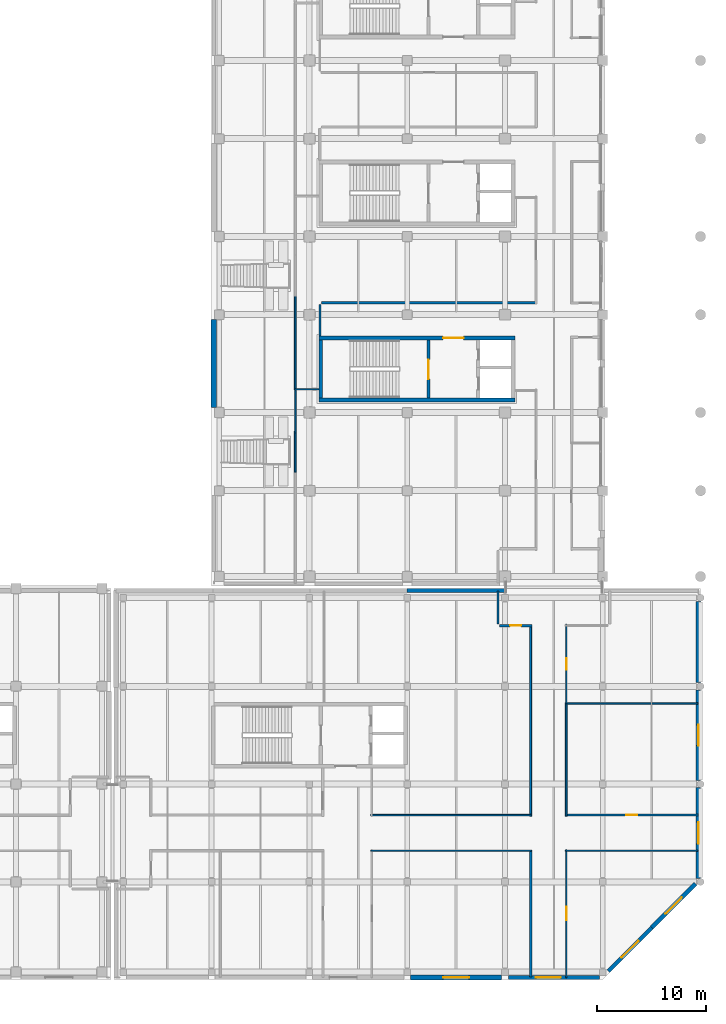
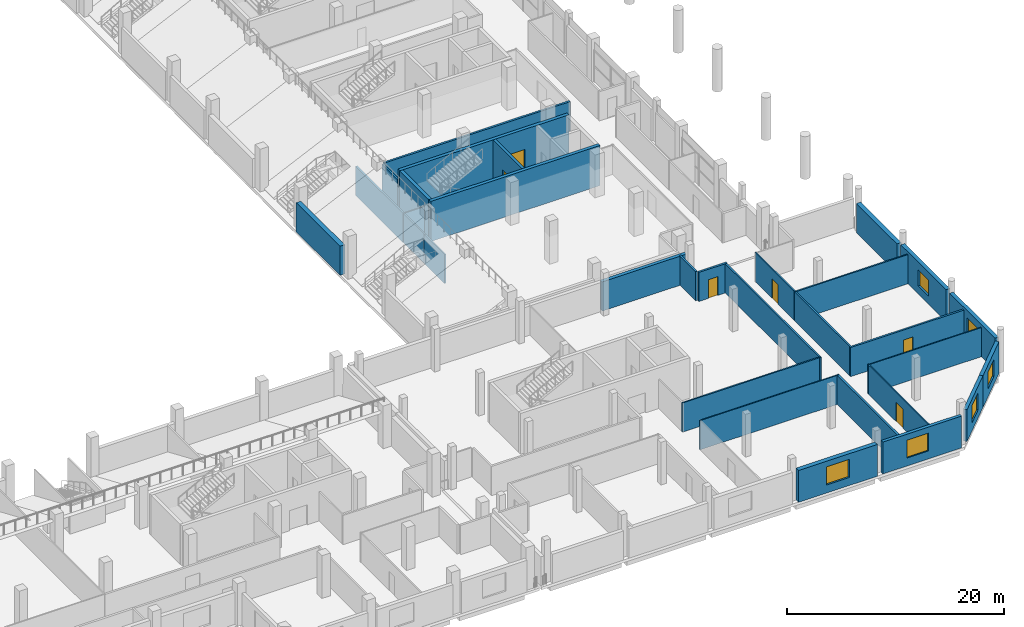
# One storey, part 62 of 100: 31 walls, 6 doors, 6 windows, 12 openings.
"""IFC4 building model written with IfcOpenShell, lengths in metres."""

from ifc_helpers import new_model, si_unit, direction, frame, frame_2d, origin, place, context, subcontext, project, spatial, rectangle, extrude, material, layer, layer_set, type_object, element, fill, save


model = new_model("IFC4")

# Units and contexts
model_context = context("Model", 3, precision=1e-05, world=origin(), true_north=direction((0.0, 1.0)))
body_context = subcontext(model_context, "Body", "Model", "MODEL_VIEW")
ifc_project = project(units=[si_unit("LENGTHUNIT", "METRE"), si_unit("AREAUNIT", "SQUARE_METRE"), si_unit("VOLUMEUNIT", "CUBIC_METRE"), si_unit("PLANEANGLEUNIT", "RADIAN"), si_unit("MASSUNIT", "GRAM", prefix="KILO"), si_unit("THERMODYNAMICTEMPERATUREUNIT", "KELVIN"), si_unit("POWERUNIT", "WATT")], contexts=[model_context])

# Site, building, storey
site_placement = place(None, origin())
site = spatial("IfcSite", under=ifc_project, at=site_placement, CompositionType="ELEMENT")
building_placement = place(site_placement, origin())
building = spatial("IfcBuilding", under=site, at=building_placement, Name="Sindhuravela Promenade Stadium", CompositionType="ELEMENT")
storey_placement = place(building_placement, frame((0.0, 0.0, 4.800048828125)))
storey = spatial("IfcBuildingStorey", under=building, at=storey_placement, Name="L01", CompositionType="ELEMENT", Elevation=4.800048828125)

# Wall, opening, window
ifc_material_1 = material(Name="Terracotta clay brick masonry (15 MPa)", Category="masonry")
ifc_layer_1 = layer(ifc_material_1, 0.340087890625)
ifc_layer_set_1 = layer_set([ifc_layer_1], Name="Terracotta clay brick masonry (15 MPa)")
wall_type_1 = type_object("IfcWallType", Name="EX-WL-BRK340", PredefinedType="SOLIDWALL", material=ifc_layer_set_1)
wall_1_placement = place(storey_placement, frame((206.695068359375, 0.199951171875, 0.0), z_axis=(0.0, 0.0, 1.0), x_axis=(-1.0, 0.0, 0.0)))
wall_1 = element("IfcWall", 1, at=wall_1_placement, inside=storey, type_object=wall_type_1, Name="Exterior masonry wall EW06 Pavilion SE L01", PredefinedType="SOLIDWALL", context=body_context, shape_type="SweptSolid", body=[
    extrude(rectangle(XDim=8.39013671875, YDim=0.340087890625, at=frame_2d((4.195068359375, 0.0))), origin(), (0.0, 0.0, 1.0), 3.579833984375),
])
opening_1_placement = place(wall_1_placement, frame((3.544921875, 0.0, 0.89990234375)))
opening_1 = element("IfcOpeningElement", 2, at=opening_1_placement, cuts=wall_1, Name="Opening W13", PredefinedType="OPENING", context=body_context, shape_type="SweptSolid", body=[
    extrude(rectangle(XDim=2.300048828125, YDim=2.0, at=frame_2d((1.14990234375, 1.0))), frame((0.0, 0.179931640625, 0.0), z_axis=(0.0, -1.0, 0.0), x_axis=(1.0, 0.0, 0.0)), (0.0, 0.0, 1.0), 0.360107421875),
])
ifc_material_2 = material(Name="Tempered laminated low-E glass", Category="glass")
window_type_1 = type_object("IfcWindowType", Name="WN-FAC-2300x2000", PartitioningType="DOUBLE_PANEL_VERTICAL", PredefinedType="WINDOW", material=ifc_material_2)
window_1_placement = place(opening_1_placement, origin())
window_1 = element("IfcWindow", 3, at=window_1_placement, inside=storey, type_object=window_type_1, Name="Window W13 Pavilion SE L01", OverallHeight=2.0, OverallWidth=2.300048828125, PartitioningType="DOUBLE_PANEL_VERTICAL", PredefinedType="WINDOW", context=body_context, shape_type="SweptSolid", body=[
    extrude(rectangle(XDim=2.300048828125, YDim=2.0, at=frame_2d((1.14990234375, 1.0))), frame((0.0, 0.030029296875, 0.0), z_axis=(0.0, -1.0, 0.0), x_axis=(1.0, 0.0, 0.0)), (0.0, 0.0, 1.0), 0.06005859375),
])
fill(opening_1, window_1)

# Wall
ifc_layer_2 = layer(ifc_material_1, 0.360107421875)
ifc_layer_set_2 = layer_set([ifc_layer_2], Name="Terracotta clay brick masonry (15 MPa)")
wall_type_2 = type_object("IfcWallType", Name="EX-WL-BRK360", PredefinedType="SOLIDWALL", material=ifc_layer_set_2)
wall_2_placement = place(storey_placement, frame((189.0, 35.800048828125, 0.0), z_axis=(0.0, 0.0, 1.0), x_axis=(1.0, 0.0, 0.0)))
element("IfcWall", 4, at=wall_2_placement, inside=storey, type_object=wall_type_2, Name="Exterior masonry wall EW05 Pavilion SE L01", PredefinedType="SOLIDWALL", context=body_context, shape_type="SweptSolid", body=[
    extrude(rectangle(XDim=8.933349609375, YDim=0.360107421875, at=frame_2d((4.466796875, 0.0))), origin(), (0.0, 0.0, 1.0), 3.280029296875),
])

# Wall, opening, window
wall_3_placement = place(storey_placement, frame((211.52099609375, 4.803955078125, 0.0), z_axis=(0.0, 0.0, 1.0), x_axis=(-0.7070852496391992, -0.7071283120782759, 0.0)))
wall_3 = element("IfcWall", 5, at=wall_3_placement, inside=storey, type_object=wall_type_2, Name="Exterior masonry wall EW05 Pavilion SE L01", PredefinedType="SOLIDWALL", context=body_context, shape_type="SweptSolid", body=[
    extrude(rectangle(XDim=5.66943359375, YDim=0.360107421875, at=frame_2d((2.834716796875, 0.0))), origin(), (0.0, 0.0, 1.0), 3.579833984375),
])
opening_2_placement = place(wall_3_placement, frame((1.73486328125, 0.0, 0.89990234375)))
opening_2 = element("IfcOpeningElement", 6, at=opening_2_placement, cuts=wall_3, Name="Opening W12", PredefinedType="OPENING", context=body_context, shape_type="SweptSolid", body=[
    extrude(rectangle(XDim=2.199951171875, YDim=1.949951171875, at=frame_2d((1.10009765625, 0.97509765625))), frame((0.0, 0.18994140625, 0.0), z_axis=(0.0, -1.0, 0.0), x_axis=(1.0, 0.0, 0.0)), (0.0, 0.0, 1.0), 0.380126953125),
])
window_type_2 = type_object("IfcWindowType", Name="WN-FAC-2200x1950", PartitioningType="DOUBLE_PANEL_VERTICAL", PredefinedType="WINDOW", material=ifc_material_2)
window_2_placement = place(opening_2_placement, origin())
window_2 = element("IfcWindow", 7, at=window_2_placement, inside=storey, type_object=window_type_2, Name="Window W12 Pavilion SE L01", OverallHeight=1.949951171875, OverallWidth=2.199951171875, PartitioningType="DOUBLE_PANEL_VERTICAL", PredefinedType="WINDOW", context=body_context, shape_type="SweptSolid", body=[
    extrude(rectangle(XDim=2.199951171875, YDim=1.949951171875, at=frame_2d((1.10009765625, 0.97509765625))), frame((0.0, 0.030029296875, 0.0), z_axis=(0.0, -1.0, 0.0), x_axis=(1.0, 0.0, 0.0)), (0.0, 0.0, 1.0), 0.06005859375),
])
fill(opening_2, window_2)

ifc_layer_3 = layer(ifc_material_1, 0.3798828125)
ifc_layer_set_3 = layer_set([ifc_layer_3], Name="Terracotta clay brick masonry (15 MPa)")
wall_type_3 = type_object("IfcWallType", Name="EX-WL-BRK380", PredefinedType="SOLIDWALL", material=ifc_layer_set_3)
wall_4_placement = place(storey_placement, frame((215.530029296875, 8.81298828125, 0.0), z_axis=(0.0, 0.0, 1.0), x_axis=(-0.7071067811865476, -0.7071067811865476, 0.0)))
wall_4 = element("IfcWall", 8, at=wall_4_placement, inside=storey, type_object=wall_type_3, Name="Exterior masonry wall EW04 Pavilion SE L01", PredefinedType="SOLIDWALL", context=body_context, shape_type="SweptSolid", body=[
    extrude(rectangle(XDim=5.669677734375, YDim=0.3798828125, at=frame_2d((2.8349609375, 0.0))), origin(), (0.0, 0.0, 1.0), 3.579833984375),
])
opening_3_placement = place(wall_4_placement, frame((1.784912109375, 0.0, 0.89990234375)))
opening_3 = element("IfcOpeningElement", 9, at=opening_3_placement, cuts=wall_4, Name="Opening W11", PredefinedType="OPENING", context=body_context, shape_type="SweptSolid", body=[
    extrude(rectangle(XDim=2.10009765625, YDim=1.89990234375, at=frame_2d((1.050048828125, 0.949951171875))), frame((0.0, 0.199951171875, 0.0), z_axis=(0.0, -1.0, 0.0), x_axis=(1.0, 0.0, 0.0)), (0.0, 0.0, 1.0), 0.39990234375),
])
window_type_3 = type_object("IfcWindowType", Name="WN-FAC-2100x1900", PartitioningType="DOUBLE_PANEL_VERTICAL", PredefinedType="WINDOW", material=ifc_material_2)
window_3_placement = place(opening_3_placement, origin())
window_3 = element("IfcWindow", 10, at=window_3_placement, inside=storey, type_object=window_type_3, Name="Window W11 Pavilion SE L01", OverallHeight=1.89990234375, OverallWidth=2.10009765625, PartitioningType="DOUBLE_PANEL_VERTICAL", PredefinedType="WINDOW", context=body_context, shape_type="SweptSolid", body=[
    extrude(rectangle(XDim=2.10009765625, YDim=1.89990234375, at=frame_2d((1.050048828125, 0.949951171875))), frame((0.0, 0.030029296875, 0.0), z_axis=(0.0, -1.0, 0.0), x_axis=(1.0, 0.0, 0.0)), (0.0, 0.0, 1.0), 0.06005859375),
])
fill(opening_3, window_3)

ifc_layer_4 = layer(ifc_material_1, 0.39990234375)
ifc_layer_set_4 = layer_set([ifc_layer_4], Name="Terracotta clay brick masonry (15 MPa)")
wall_type_4 = type_object("IfcWallType", Name="EX-WL-BRK400", PredefinedType="SOLIDWALL", material=ifc_layer_set_4)
wall_5_placement = place(storey_placement, frame((215.800048828125, 17.669921875, 0.0), z_axis=(0.0, 0.0, 1.0), x_axis=(0.0, -1.0, 0.0)))
wall_5 = element("IfcWall", 11, at=wall_5_placement, inside=storey, type_object=wall_type_4, Name="Exterior masonry wall EW03 Pavilion SE L01", PredefinedType="SOLIDWALL", context=body_context, shape_type="SweptSolid", body=[
    extrude(rectangle(XDim=8.33984375, YDim=0.39990234375, at=frame_2d((4.169921875, 0.0))), origin(), (0.0, 0.0, 1.0), 3.579833984375),
])
opening_4_placement = place(wall_5_placement, frame((3.169921875, 0.0, 0.89990234375)))
opening_4 = element("IfcOpeningElement", 12, at=opening_4_placement, cuts=wall_5, Name="Opening W10", PredefinedType="OPENING", context=body_context, shape_type="SweptSolid", body=[
    extrude(rectangle(XDim=2.0, YDim=1.85009765625, at=frame_2d((1.0, 0.925048828125))), frame((0.0, 0.2099609375, 0.0), z_axis=(0.0, -1.0, 0.0), x_axis=(1.0, 0.0, 0.0)), (0.0, 0.0, 1.0), 0.419921875),
])
window_type_4 = type_object("IfcWindowType", Name="WN-FAC-2000x1850", PartitioningType="DOUBLE_PANEL_VERTICAL", PredefinedType="WINDOW", material=ifc_material_2)
window_4_placement = place(opening_4_placement, origin())
window_4 = element("IfcWindow", 13, at=window_4_placement, inside=storey, type_object=window_type_4, Name="Window W10 Pavilion SE L01", OverallHeight=1.85009765625, OverallWidth=2.0, PartitioningType="DOUBLE_PANEL_VERTICAL", PredefinedType="WINDOW", context=body_context, shape_type="SweptSolid", body=[
    extrude(rectangle(XDim=2.0, YDim=1.85009765625, at=frame_2d((1.0, 0.925048828125))), frame((0.0, 0.030029296875, 0.0), z_axis=(0.0, -1.0, 0.0), x_axis=(1.0, 0.0, 0.0)), (0.0, 0.0, 1.0), 0.06005859375),
])
fill(opening_4, window_4)

ifc_layer_5 = layer(ifc_material_1, 0.419921875)
ifc_layer_set_5 = layer_set([ifc_layer_5], Name="Terracotta clay brick masonry (15 MPa)")
wall_type_5 = type_object("IfcWallType", Name="EX-WL-BRK420", PredefinedType="SOLIDWALL", material=ifc_layer_set_5)
wall_6_placement = place(storey_placement, frame((215.800048828125, 26.669921875, 0.0), z_axis=(0.0, 0.0, 1.0), x_axis=(0.0, -1.0, 0.0)))
wall_6 = element("IfcWall", 14, at=wall_6_placement, inside=storey, type_object=wall_type_5, Name="Exterior masonry wall EW02 Pavilion SE L01", PredefinedType="SOLIDWALL", context=body_context, shape_type="SweptSolid", body=[
    extrude(rectangle(XDim=8.33984375, YDim=0.419921875, at=frame_2d((4.169921875, 0.0))), origin(), (0.0, 0.0, 1.0), 3.579833984375),
])
opening_5_placement = place(wall_6_placement, frame((3.219970703125, 0.0, 0.89990234375)))
opening_5 = element("IfcOpeningElement", 15, at=opening_5_placement, cuts=wall_6, Name="Opening W09", PredefinedType="OPENING", context=body_context, shape_type="SweptSolid", body=[
    extrude(rectangle(XDim=1.89990234375, YDim=1.800048828125, at=frame_2d((0.949951171875, 0.89990234375))), frame((0.0, 0.219970703125, 0.0), z_axis=(0.0, -1.0, 0.0), x_axis=(1.0, 0.0, 0.0)), (0.0, 0.0, 1.0), 0.43994140625),
])
window_type_5 = type_object("IfcWindowType", Name="WN-FAC-1900x1800", PartitioningType="DOUBLE_PANEL_VERTICAL", PredefinedType="WINDOW", material=ifc_material_2)
window_5_placement = place(opening_5_placement, origin())
window_5 = element("IfcWindow", 16, at=window_5_placement, inside=storey, type_object=window_type_5, Name="Window W09 Pavilion SE L01", OverallHeight=1.800048828125, OverallWidth=1.89990234375, PartitioningType="DOUBLE_PANEL_VERTICAL", PredefinedType="WINDOW", context=body_context, shape_type="SweptSolid", body=[
    extrude(rectangle(XDim=1.89990234375, YDim=1.800048828125, at=frame_2d((0.949951171875, 0.89990234375))), frame((0.0, 0.030029296875, 0.0), z_axis=(0.0, -1.0, 0.0), x_axis=(1.0, 0.0, 0.0)), (0.0, 0.0, 1.0), 0.06005859375),
])
fill(opening_5, window_5)

# Wall
ifc_layer_6 = layer(ifc_material_1, 0.4599609375)
ifc_layer_set_6 = layer_set([ifc_layer_6], Name="Terracotta clay brick masonry (15 MPa)")
wall_type_6 = type_object("IfcWallType", Name="EX-WL-BRK460", PredefinedType="SOLIDWALL", material=ifc_layer_set_6)
wall_7_placement = place(storey_placement, frame((215.800048828125, 34.820068359375, 0.0), z_axis=(0.0, 0.0, 1.0), x_axis=(0.0, -1.0, 0.0)))
element("IfcWall", 17, at=wall_7_placement, inside=storey, type_object=wall_type_6, Name="Exterior masonry wall EW01 Pavilion SE L01", PredefinedType="SOLIDWALL", context=body_context, shape_type="SweptSolid", body=[
    extrude(rectangle(XDim=7.489990234375, YDim=0.4599609375, at=frame_2d((3.7451171875, 0.0))), origin(), (0.0, 0.0, 1.0), 3.280029296875),
])

# Wall, opening, window
wall_8_placement = place(storey_placement, frame((197.695068359375, 0.199951171875, 0.0), z_axis=(0.0, 0.0, 1.0), x_axis=(-1.0, 0.0, 0.0)))
wall_8 = element("IfcWall", 18, at=wall_8_placement, inside=storey, type_object=wall_type_6, Name="Exterior masonry wall EW01 Pavilion SE L01", PredefinedType="SOLIDWALL", context=body_context, shape_type="SweptSolid", body=[
    extrude(rectangle(XDim=8.39013671875, YDim=0.4599609375, at=frame_2d((4.195068359375, 0.0))), origin(), (0.0, 0.0, 1.0), 3.579833984375),
])
opening_6_placement = place(wall_8_placement, frame((2.9951171875, 0.0, 0.89990234375)))
opening_6 = element("IfcOpeningElement", 19, at=opening_6_placement, cuts=wall_8, Name="Opening W14", PredefinedType="OPENING", context=body_context, shape_type="SweptSolid", body=[
    extrude(rectangle(XDim=2.39990234375, YDim=2.050048828125, at=frame_2d((1.199951171875, 1.02490234375))), frame((0.0, 0.239990234375, 0.0), z_axis=(0.0, -1.0, 0.0), x_axis=(1.0, 0.0, 0.0)), (0.0, 0.0, 1.0), 0.47998046875),
])
window_type_6 = type_object("IfcWindowType", Name="WN-FAC-2400x2050", PartitioningType="DOUBLE_PANEL_VERTICAL", PredefinedType="WINDOW", material=ifc_material_2)
window_6_placement = place(opening_6_placement, origin())
window_6 = element("IfcWindow", 20, at=window_6_placement, inside=storey, type_object=window_type_6, Name="Window W14 Pavilion SE L01", OverallHeight=2.050048828125, OverallWidth=2.39990234375, PartitioningType="DOUBLE_PANEL_VERTICAL", PredefinedType="WINDOW", context=body_context, shape_type="SweptSolid", body=[
    extrude(rectangle(XDim=2.39990234375, YDim=2.050048828125, at=frame_2d((1.199951171875, 1.02490234375))), frame((0.0, 0.030029296875, 0.0), z_axis=(0.0, -1.0, 0.0), x_axis=(1.0, 0.0, 0.0)), (0.0, 0.0, 1.0), 0.06005859375),
])
fill(opening_6, window_6)

# Walls
ifc_material_3 = material(Name="Dholpur sandstone ashlar (45 MPa)", Category="masonry")
ifc_layer_7 = layer(ifc_material_3, 0.5)
ifc_layer_set_7 = layer_set([ifc_layer_7], Name="Dholpur sandstone ashlar (45 MPa)")
wall_type_7 = type_object("IfcWallType", Name="EX-WL-SND500", PredefinedType="SOLIDWALL", material=ifc_layer_set_7)
wall_9_placement = place(storey_placement, frame((171.199951171875, 52.655029296875, 0.0), z_axis=(0.0, 0.0, 1.0), x_axis=(0.0, 1.0, 0.0)))
element("IfcWall", 21, at=wall_9_placement, inside=storey, type_object=wall_type_7, Name="Exterior masonry wall EW07 EAST L01", PredefinedType="SOLIDWALL", context=body_context, shape_type="SweptSolid", body=[
    extrude(rectangle(XDim=8.090087890625, YDim=0.5, at=frame_2d((4.044921875, 0.0))), origin(), (0.0, 0.0, 1.0), 3.280029296875),
])
ifc_material_4 = material(Name="Fire-rated gypsum partition board", Category="gypsum")
ifc_layer_8 = layer(ifc_material_4, 0.110107421875)
ifc_layer_set_8 = layer_set([ifc_layer_8], Name="Fire-rated gypsum partition board")
wall_type_8 = type_object("IfcWallType", Name="IN-WL-PAR110", PredefinedType="PARTITIONING", material=ifc_layer_set_8)
wall_10_placement = place(storey_placement, frame((178.6201171875, 54.342041015625, 0.0), z_axis=(0.0, 0.0, 1.0), x_axis=(1.0, 0.0, 0.0)))
element("IfcWall", 22, at=wall_10_placement, inside=storey, type_object=wall_type_8, Name="Interior partition IW06 EAST L01", PredefinedType="PARTITIONING", context=body_context, shape_type="SweptSolid", body=[
    extrude(rectangle(XDim=2.2529296875, YDim=0.110107421875, at=frame_2d((1.12646484375, 0.0))), origin(), (0.0, 0.0, 1.0), 3.280029296875),
])
wall_11_placement = place(storey_placement, frame((185.659912109375, 11.860107421875, 0.0), z_axis=(0.0, 0.0, 1.0), x_axis=(1.0, 0.0, 0.0)))
element("IfcWall", 23, at=wall_11_placement, inside=storey, type_object=wall_type_8, Name="Interior partition IW06 Pavilion SE L01", PredefinedType="PARTITIONING", context=body_context, shape_type="SweptSolid", body=[
    extrude(rectangle(XDim=14.780029296875, YDim=0.110107421875, at=frame_2d((7.39013671875, 0.0))), origin(), (0.0, 0.0, 1.0), 3.280029296875),
])
wall_12_placement = place(storey_placement, frame((203.56005859375, 11.860107421875, 0.0), z_axis=(0.0, 0.0, 1.0), x_axis=(1.0, 0.0, 0.0)))
element("IfcWall", 24, at=wall_12_placement, inside=storey, type_object=wall_type_8, Name="Interior partition IW06 Pavilion SE L01", PredefinedType="PARTITIONING", context=body_context, shape_type="SweptSolid", body=[
    extrude(rectangle(XDim=12.199951171875, YDim=0.110107421875, at=frame_2d((6.10009765625, 0.0))), origin(), (0.0, 0.0, 1.0), 3.280029296875),
])
ifc_layer_9 = layer(ifc_material_4, 0.1298828125)
ifc_layer_set_9 = layer_set([ifc_layer_9], Name="Fire-rated gypsum partition board")
wall_type_9 = type_object("IfcWallType", Name="IN-WL-PAR130", PredefinedType="PARTITIONING", material=ifc_layer_set_9)
wall_13_placement = place(storey_placement, frame((178.699951171875, 50.320068359375, 0.0), z_axis=(0.0, 0.0, 1.0), x_axis=(0.0, 1.0, 0.0)))
element("IfcWall", 25, at=wall_13_placement, inside=storey, type_object=wall_type_9, Name="Interior partition IW05 EAST L01", PredefinedType="PARTITIONING", context=body_context, shape_type="SweptSolid", body=[
    extrude(rectangle(XDim=3.98193359375, YDim=0.1298828125, at=frame_2d((1.990966796875, 0.0))), origin(), (0.0, 0.0, 1.0), 3.280029296875),
])

# Wall, opening, door
wall_14_placement = place(storey_placement, frame((203.639892578125, 32.7099609375, 0.0), z_axis=(0.0, 0.0, 1.0), x_axis=(0.0, -1.0, 0.0)))
wall_14 = element("IfcWall", 26, at=wall_14_placement, inside=storey, type_object=wall_type_9, Name="Corridor partition IW05 Gate Concourse Foyer SE L01 2", PredefinedType="PARTITIONING", context=body_context, shape_type="SweptSolid", body=[
    extrude(rectangle(XDim=7.300048828125, YDim=0.1298828125, at=frame_2d((3.64990234375, 0.0))), origin(), (0.0, 0.0, 1.0), 3.280029296875),
])
opening_7_placement = place(wall_14_placement, frame((3.110107421875, 0.0, 0.0)))
opening_7 = element("IfcOpeningElement", 27, at=opening_7_placement, cuts=wall_14, Name="Opening ID12", PredefinedType="OPENING", context=body_context, shape_type="SweptSolid", body=[
    extrude(rectangle(XDim=1.080078125, YDim=2.179931640625, at=frame_2d((0.5400390625, 1.08984375))), frame((0.0, 0.074951171875, 0.0), z_axis=(0.0, -1.0, 0.0), x_axis=(1.0, 0.0, 0.0)), (0.0, 0.0, 1.0), 0.14990234375),
])
ifc_material_5 = material(Name="Architectural teak timber leaf", Category="wood")
door_type_1 = type_object("IfcDoorType", Name="DR-INT-1080x2180", OperationType="NOTDEFINED", PredefinedType="DOOR", material=ifc_material_5)
door_1_placement = place(opening_7_placement, origin())
door_1 = element("IfcDoor", 28, at=door_1_placement, inside=storey, type_object=door_type_1, Name="Gate Concourse Foyer SE L01 2 door", OperationType="SINGLE_SWING_RIGHT", OverallHeight=2.179931640625, OverallWidth=1.080078125, PredefinedType="DOOR", context=body_context, shape_type="SweptSolid", body=[
    extrude(rectangle(XDim=1.080078125, YDim=2.179931640625, at=frame_2d((0.5400390625, 1.08984375))), frame((0.0, 0.02490234375, 0.0), z_axis=(0.0, -1.0, 0.0), x_axis=(1.0, 0.0, 0.0)), (0.0, 0.0, 1.0), 0.050048828125),
])
fill(opening_7, door_1)

wall_15_placement = place(storey_placement, frame((203.639892578125, 11.97998046875, 0.0), z_axis=(0.0, 0.0, 1.0), x_axis=(0.0, -1.0, 0.0)))
wall_15 = element("IfcWall", 29, at=wall_15_placement, inside=storey, type_object=wall_type_9, Name="Corridor partition IW05 Refreshment Counter SE L01 4", PredefinedType="PARTITIONING", context=body_context, shape_type="SweptSolid", body=[
    extrude(rectangle(XDim=11.780029296875, YDim=0.1298828125, at=frame_2d((5.89013671875, 0.0))), origin(), (0.0, 0.0, 1.0), 3.280029296875),
])
opening_8_placement = place(wall_15_placement, frame((5.264892578125, 0.0, 0.0)))
opening_8 = element("IfcOpeningElement", 30, at=opening_8_placement, cuts=wall_15, Name="Opening ID04", PredefinedType="OPENING", context=body_context, shape_type="SweptSolid", body=[
    extrude(rectangle(XDim=1.25, YDim=2.14990234375, at=frame_2d((0.625, 1.074951171875))), frame((0.0, 0.074951171875, 0.0), z_axis=(0.0, -1.0, 0.0), x_axis=(1.0, 0.0, 0.0)), (0.0, 0.0, 1.0), 0.14990234375),
])
door_type_2 = type_object("IfcDoorType", Name="DR-INT-1250x2150", OperationType="NOTDEFINED", PredefinedType="DOOR", material=ifc_material_5)
door_2_placement = place(opening_8_placement, origin())
door_2 = element("IfcDoor", 31, at=door_2_placement, inside=storey, type_object=door_type_2, Name="Refreshment Counter SE L01 4 door", OperationType="SINGLE_SWING_RIGHT", OverallHeight=2.14990234375, OverallWidth=1.25, PredefinedType="DOOR", context=body_context, shape_type="SweptSolid", body=[
    extrude(rectangle(XDim=1.25, YDim=2.14990234375, at=frame_2d((0.625, 1.074951171875))), frame((0.0, 0.02490234375, 0.0), z_axis=(0.0, -1.0, 0.0), x_axis=(1.0, 0.0, 0.0)), (0.0, 0.0, 1.0), 0.050048828125),
])
fill(opening_8, door_2)

# Walls
ifc_layer_10 = layer(ifc_material_4, 0.14990234375)
ifc_layer_set_10 = layer_set([ifc_layer_10], Name="Fire-rated gypsum partition board")
wall_type_10 = type_object("IfcWallType", Name="IN-WL-PAR150", PredefinedType="PARTITIONING", material=ifc_layer_set_10)
wall_16_placement = place(storey_placement, frame((178.699951171875, 46.719970703125, 0.0), z_axis=(0.0, 0.0, 1.0), x_axis=(0.0, 1.0, 0.0)))
element("IfcWall", 32, at=wall_16_placement, inside=storey, type_object=wall_type_10, Name="Interior partition IW04 EAST L01", PredefinedType="PARTITIONING", context=body_context, shape_type="SweptSolid", body=[
    extrude(rectangle(XDim=3.760009765625, YDim=0.14990234375, at=frame_2d((1.8798828125, 0.0))), origin(), (0.0, 0.0, 1.0), 3.280029296875),
])
wall_17_placement = place(storey_placement, frame((200.43994140625, 15.139892578125, 0.0), z_axis=(0.0, 0.0, 1.0), x_axis=(-1.0, 0.0, 0.0)))
element("IfcWall", 33, at=wall_17_placement, inside=storey, type_object=wall_type_10, Name="Interior partition IW04 Pavilion SE L01", PredefinedType="PARTITIONING", context=body_context, shape_type="SweptSolid", body=[
    extrude(rectangle(XDim=14.780029296875, YDim=0.14990234375, at=frame_2d((7.39013671875, 0.0))), origin(), (0.0, 0.0, 1.0), 3.280029296875),
])
wall_18_placement = place(storey_placement, frame((203.56005859375, 25.409912109375, 0.0), z_axis=(0.0, 0.0, 1.0), x_axis=(1.0, 0.0, 0.0)))
element("IfcWall", 34, at=wall_18_placement, inside=storey, type_object=wall_type_10, Name="Interior partition IW04 Pavilion SE L01", PredefinedType="PARTITIONING", context=body_context, shape_type="SweptSolid", body=[
    extrude(rectangle(XDim=12.199951171875, YDim=0.14990234375, at=frame_2d((6.10009765625, 0.0))), origin(), (0.0, 0.0, 1.0), 3.280029296875),
])
ifc_layer_11 = layer(ifc_material_4, 0.175048828125)
ifc_layer_set_11 = layer_set([ifc_layer_11], Name="Fire-rated gypsum partition board")
wall_type_11 = type_object("IfcWallType", Name="IN-WL-PAR175", PredefinedType="PARTITIONING", material=ifc_layer_set_11)
wall_19_placement = place(storey_placement, frame((178.699951171875, 54.382080078125, 0.0), z_axis=(0.0, 0.0, 1.0), x_axis=(0.0, 1.0, 0.0)))
element("IfcWall", 35, at=wall_19_placement, inside=storey, type_object=wall_type_11, Name="Interior partition IW03 EAST L01", PredefinedType="PARTITIONING", context=body_context, shape_type="SweptSolid", body=[
    extrude(rectangle(XDim=8.697998046875, YDim=0.175048828125, at=frame_2d((4.34912109375, 0.0))), origin(), (0.0, 0.0, 1.0), 3.280029296875),
])
wall_20_placement = place(storey_placement, frame((200.360107421875, 32.669921875, 0.0), z_axis=(0.0, 0.0, 1.0), x_axis=(0.0, -1.0, 0.0)))
element("IfcWall", 36, at=wall_20_placement, inside=storey, type_object=wall_type_11, Name="Interior partition IW03 Pavilion SE L01", PredefinedType="PARTITIONING", context=body_context, shape_type="SweptSolid", body=[
    extrude(rectangle(XDim=17.60986328125, YDim=0.175048828125, at=frame_2d((8.804931640625, 0.0))), origin(), (0.0, 0.0, 1.0), 3.280029296875),
])
wall_21_placement = place(storey_placement, frame((203.639892578125, 15.06005859375, 0.0), z_axis=(0.0, 0.0, 1.0), x_axis=(0.0, 1.0, 0.0)))
element("IfcWall", 37, at=wall_21_placement, inside=storey, type_object=wall_type_11, Name="Interior partition IW03 Pavilion SE L01", PredefinedType="PARTITIONING", context=body_context, shape_type="SweptSolid", body=[
    extrude(rectangle(XDim=10.31005859375, YDim=0.175048828125, at=frame_2d((5.155029296875, 0.0))), origin(), (0.0, 0.0, 1.0), 3.280029296875),
])
ifc_layer_12 = layer(ifc_material_4, 0.195068359375)
ifc_layer_set_12 = layer_set([ifc_layer_12], Name="Fire-rated gypsum partition board")
wall_type_12 = type_object("IfcWallType", Name="IN-WL-PAR195", PredefinedType="PARTITIONING", material=ifc_layer_set_12)
wall_22_placement = place(storey_placement, frame((180.9599609375, 62.1298828125, 0.0), z_axis=(0.0, 0.0, 1.0), x_axis=(0.0, -1.0, 0.0)))
element("IfcWall", 38, at=wall_22_placement, inside=storey, type_object=wall_type_12, Name="Interior partition IW02 EAST L01", PredefinedType="PARTITIONING", context=body_context, shape_type="SweptSolid", body=[
    extrude(rectangle(XDim=2.90283203125, YDim=0.195068359375, at=frame_2d((1.451416015625, 0.0))), origin(), (0.0, 0.0, 1.0), 3.280029296875),
])
wall_23_placement = place(storey_placement, frame((197.360107421875, 35.760009765625, 0.0), z_axis=(0.0, 0.0, 1.0), x_axis=(0.0, -1.0, 0.0)))
element("IfcWall", 39, at=wall_23_placement, inside=storey, type_object=wall_type_12, Name="Interior partition IW02 Pavilion SE L01", PredefinedType="PARTITIONING", context=body_context, shape_type="SweptSolid", body=[
    extrude(rectangle(XDim=3.010009765625, YDim=0.195068359375, at=frame_2d((1.5048828125, 0.0))), origin(), (0.0, 0.0, 1.0), 3.280029296875),
])

# Wall, opening, door
wall_24_placement = place(storey_placement, frame((203.52001953125, 15.139892578125, 0.0), z_axis=(0.0, 0.0, 1.0), x_axis=(1.0, 0.0, 0.0)))
wall_24 = element("IfcWall", 40, at=wall_24_placement, inside=storey, type_object=wall_type_12, Name="Corridor partition IW02 Accessible WC SE L01", PredefinedType="PARTITIONING", context=body_context, shape_type="SweptSolid", body=[
    extrude(rectangle(XDim=12.280029296875, YDim=0.195068359375, at=frame_2d((6.14013671875, 0.0))), origin(), (0.0, 0.0, 1.0), 3.280029296875),
])
opening_9_placement = place(wall_24_placement, frame((5.6298828125, 0.0, 0.0)))
opening_9 = element("IfcOpeningElement", 41, at=opening_9_placement, cuts=wall_24, Name="Opening ID11", PredefinedType="OPENING", context=body_context, shape_type="SweptSolid", body=[
    extrude(rectangle(XDim=1.02001953125, YDim=2.159912109375, at=frame_2d((0.510009765625, 1.080078125))), frame((0.0, 0.107421875, 0.0), z_axis=(0.0, -1.0, 0.0), x_axis=(1.0, 0.0, 0.0)), (0.0, 0.0, 1.0), 0.215087890625),
])
door_type_3 = type_object("IfcDoorType", Name="DR-INT-1020x2160", OperationType="NOTDEFINED", PredefinedType="DOOR", material=ifc_material_5)
door_3_placement = place(opening_9_placement, origin())
door_3 = element("IfcDoor", 42, at=door_3_placement, inside=storey, type_object=door_type_3, Name="Accessible WC SE L01 door", OperationType="SINGLE_SWING_LEFT", OverallHeight=2.159912109375, OverallWidth=1.02001953125, PredefinedType="DOOR", context=body_context, shape_type="SweptSolid", body=[
    extrude(rectangle(XDim=1.02001953125, YDim=2.159912109375, at=frame_2d((0.510009765625, 1.080078125))), frame((0.0, 0.02490234375, 0.0), z_axis=(0.0, -1.0, 0.0), x_axis=(1.0, 0.0, 0.0)), (0.0, 0.0, 1.0), 0.050048828125),
])
fill(opening_9, door_3)

# Wall
ifc_layer_13 = layer(ifc_material_4, 0.219970703125)
ifc_layer_set_13 = layer_set([ifc_layer_13], Name="Fire-rated gypsum partition board")
wall_type_13 = type_object("IfcWallType", Name="IN-WL-PAR220", PredefinedType="PARTITIONING", material=ifc_layer_set_13)
wall_25_placement = place(storey_placement, frame((200.93994140625, 62.2900390625, 0.0), z_axis=(0.0, 0.0, 1.0), x_axis=(-1.0, 0.0, 0.0)))
element("IfcWall", 43, at=wall_25_placement, inside=storey, type_object=wall_type_13, Name="Interior partition IW01 EAST L01", PredefinedType="PARTITIONING", context=body_context, shape_type="SweptSolid", body=[
    extrude(rectangle(XDim=19.81982421875, YDim=0.219970703125, at=frame_2d((9.909912109375, 0.0))), origin(), (0.0, 0.0, 1.0), 3.280029296875),
])

# Wall, opening, door
wall_26_placement = place(storey_placement, frame((200.47998046875, 32.590087890625, 0.0), z_axis=(0.0, 0.0, 1.0), x_axis=(-1.0, 0.0, 0.0)))
wall_26 = element("IfcWall", 44, at=wall_26_placement, inside=storey, type_object=wall_type_13, Name="Corridor partition IW01 Gate Concourse Foyer SE L01", PredefinedType="PARTITIONING", context=body_context, shape_type="SweptSolid", body=[
    extrude(rectangle(XDim=3.0, YDim=0.219970703125, at=frame_2d((1.5, 0.0))), origin(), (0.0, 0.0, 1.0), 3.280029296875),
])
opening_10_placement = place(wall_26_placement, frame((1.0, 0.0, 0.0)))
opening_10 = element("IfcOpeningElement", 45, at=opening_10_placement, cuts=wall_26, Name="Opening ID08", PredefinedType="OPENING", context=body_context, shape_type="SweptSolid", body=[
    extrude(rectangle(XDim=1.0, YDim=2.10009765625, at=frame_2d((0.5, 1.050048828125))), frame((0.0, 0.119873046875, 0.0), z_axis=(0.0, -1.0, 0.0), x_axis=(1.0, 0.0, 0.0)), (0.0, 0.0, 1.0), 0.239990234375),
])
door_type_4 = type_object("IfcDoorType", Name="DR-INT-1000x2100", OperationType="NOTDEFINED", PredefinedType="DOOR", material=ifc_material_5)
door_4_placement = place(opening_10_placement, origin())
door_4 = element("IfcDoor", 46, at=door_4_placement, inside=storey, type_object=door_type_4, Name="Gate Concourse Foyer SE L01 door", OperationType="SINGLE_SWING_RIGHT", OverallHeight=2.10009765625, OverallWidth=1.0, PredefinedType="DOOR", context=body_context, shape_type="SweptSolid", body=[
    extrude(rectangle(XDim=1.0, YDim=2.10009765625, at=frame_2d((0.5, 1.050048828125))), frame((0.0, 0.02490234375, 0.0), z_axis=(0.0, -1.0, 0.0), x_axis=(1.0, 0.0, 0.0)), (0.0, 0.0, 1.0), 0.050048828125),
])
fill(opening_10, door_4)

# Wall
wall_27_placement = place(storey_placement, frame((200.360107421875, 11.93994140625, 0.0), z_axis=(0.0, 0.0, 1.0), x_axis=(0.0, -1.0, 0.0)))
element("IfcWall", 47, at=wall_27_placement, inside=storey, type_object=wall_type_13, Name="Interior partition IW01 Pavilion SE L01", PredefinedType="PARTITIONING", context=body_context, shape_type="SweptSolid", body=[
    extrude(rectangle(XDim=11.699951171875, YDim=0.219970703125, at=frame_2d((5.85009765625, 0.0))), origin(), (0.0, 0.0, 1.0), 3.280029296875),
])

# Wall, opening, door
ifc_material_6 = material(Name="Concrete M50", Category="concrete")
ifc_layer_14 = layer(ifc_material_6, 0.300048828125)
ifc_layer_set_14 = layer_set([ifc_layer_14], Name="Concrete M50")
wall_type_14 = type_object("IfcWallType", Name="RC-SW-300", PredefinedType="SHEAR", material=ifc_layer_set_14)
wall_28_placement = place(storey_placement, frame((190.949951171875, 53.52490234375, 0.0), z_axis=(0.0, 0.0, 1.0), x_axis=(0.0, 1.0, 0.0)))
wall_28 = element("IfcWall", 48, at=wall_28_placement, inside=storey, type_object=wall_type_14, Name="Core shear wall C05-ST (L01)", PredefinedType="SHEAR", context=body_context, shape_type="SweptSolid", body=[
    extrude(rectangle(XDim=5.35009765625, YDim=0.300048828125, at=frame_2d((2.675048828125, 0.0))), origin(), (0.0, 0.0, 1.0), 4.52001953125),
])
opening_11_placement = place(wall_28_placement, frame((1.75, 0.0, 0.0)))
opening_11 = element("IfcOpeningElement", 49, at=opening_11_placement, cuts=wall_28, Name="Opening FD01", PredefinedType="OPENING", context=body_context, shape_type="SweptSolid", body=[
    extrude(rectangle(XDim=1.800048828125, YDim=2.25, at=frame_2d((0.89990234375, 1.125))), frame((0.0, 0.159912109375, 0.0), z_axis=(0.0, -1.0, 0.0), x_axis=(1.0, 0.0, 0.0)), (0.0, 0.0, 1.0), 0.320068359375),
])
ifc_material_7 = material(Name="Architectural wrought steel E350", Category="steel")
door_type_5 = type_object("IfcDoorType", Name="DR-CORE-1800x2250", OperationType="DOUBLE_DOOR_SINGLE_SWING", PredefinedType="DOOR", material=ifc_material_7)
door_5_placement = place(opening_11_placement, origin())
door_5 = element("IfcDoor", 50, at=door_5_placement, inside=storey, type_object=door_type_5, Name="Stair ST05 lobby fire door (L01)", OperationType="DOUBLE_DOOR_SINGLE_SWING", OverallHeight=2.25, OverallWidth=1.800048828125, PredefinedType="DOOR", context=body_context, shape_type="SweptSolid", body=[
    extrude(rectangle(XDim=1.800048828125, YDim=2.25, at=frame_2d((0.89990234375, 1.125))), frame((0.0, 0.02490234375, 0.0), z_axis=(0.0, -1.0, 0.0), x_axis=(1.0, 0.0, 0.0)), (0.0, 0.0, 1.0), 0.050048828125),
])
fill(opening_11, door_5)

# Wall
ifc_layer_15 = layer(ifc_material_6, 0.35009765625)
ifc_layer_set_15 = layer_set([ifc_layer_15], Name="Concrete M50")
wall_type_15 = type_object("IfcWallType", Name="RC-SW-350", PredefinedType="SHEAR", material=ifc_layer_set_15)
wall_29_placement = place(storey_placement, frame((180.89990234375, 53.35009765625, 0.0), z_axis=(0.0, 0.0, 1.0), x_axis=(1.0, 0.0, 0.0)))
element("IfcWall", 51, at=wall_29_placement, inside=storey, type_object=wall_type_15, Name="Core shear wall C05-S (L01)", PredefinedType="SHEAR", context=body_context, shape_type="SweptSolid", body=[
    extrude(rectangle(XDim=18.0, YDim=0.35009765625, at=frame_2d((9.0, 0.0))), origin(), (0.0, 0.0, 1.0), 4.52001953125),
])

# Wall, opening, door
wall_30_placement = place(storey_placement, frame((198.89990234375, 59.050048828125, 0.0), z_axis=(0.0, 0.0, 1.0), x_axis=(-1.0, 0.0, 0.0)))
wall_30 = element("IfcWall", 52, at=wall_30_placement, inside=storey, type_object=wall_type_15, Name="Core shear wall C05-N (L01)", PredefinedType="SHEAR", context=body_context, shape_type="SweptSolid", body=[
    extrude(rectangle(XDim=18.0, YDim=0.35009765625, at=frame_2d((9.0, 0.0))), origin(), (0.0, 0.0, 1.0), 4.52001953125),
])
opening_12_placement = place(wall_30_placement, frame((4.699951171875, 0.0, 0.0)))
opening_12 = element("IfcOpeningElement", 53, at=opening_12_placement, cuts=wall_30, Name="Opening FD02", PredefinedType="OPENING", context=body_context, shape_type="SweptSolid", body=[
    extrude(rectangle(XDim=1.89990234375, YDim=2.25, at=frame_2d((0.949951171875, 1.125))), frame((0.0, 0.18505859375, 0.0), z_axis=(0.0, -1.0, 0.0), x_axis=(1.0, 0.0, 0.0)), (0.0, 0.0, 1.0), 0.3701171875),
])
door_type_6 = type_object("IfcDoorType", Name="DR-LOB-1900x2250", OperationType="DOUBLE_DOOR_SINGLE_SWING", PredefinedType="DOOR", material=ifc_material_7)
door_6_placement = place(opening_12_placement, origin())
door_6 = element("IfcDoor", 54, at=door_6_placement, inside=storey, type_object=door_type_6, Name="Protected lobby entrance door C05 (L01)", OperationType="DOUBLE_DOOR_SINGLE_SWING", OverallHeight=2.25, OverallWidth=1.89990234375, PredefinedType="DOOR", context=body_context, shape_type="SweptSolid", body=[
    extrude(rectangle(XDim=1.89990234375, YDim=2.25, at=frame_2d((0.949951171875, 1.125))), frame((0.0, 0.02490234375, 0.0), z_axis=(0.0, -1.0, 0.0), x_axis=(1.0, 0.0, 0.0)), (0.0, 0.0, 1.0), 0.050048828125),
])
fill(opening_12, door_6)

# Wall
wall_31_placement = place(storey_placement, frame((181.050048828125, 58.875, 0.0), z_axis=(0.0, 0.0, 1.0), x_axis=(0.0, -1.0, 0.0)))
element("IfcWall", 55, at=wall_31_placement, inside=storey, type_object=wall_type_15, Name="Core shear wall C05-W (L01)", PredefinedType="SHEAR", context=body_context, shape_type="SweptSolid", body=[
    extrude(rectangle(XDim=5.35009765625, YDim=0.35009765625, at=frame_2d((2.675048828125, 0.0))), origin(), (0.0, 0.0, 1.0), 4.52001953125),
])

save(model, "model.ifc")
